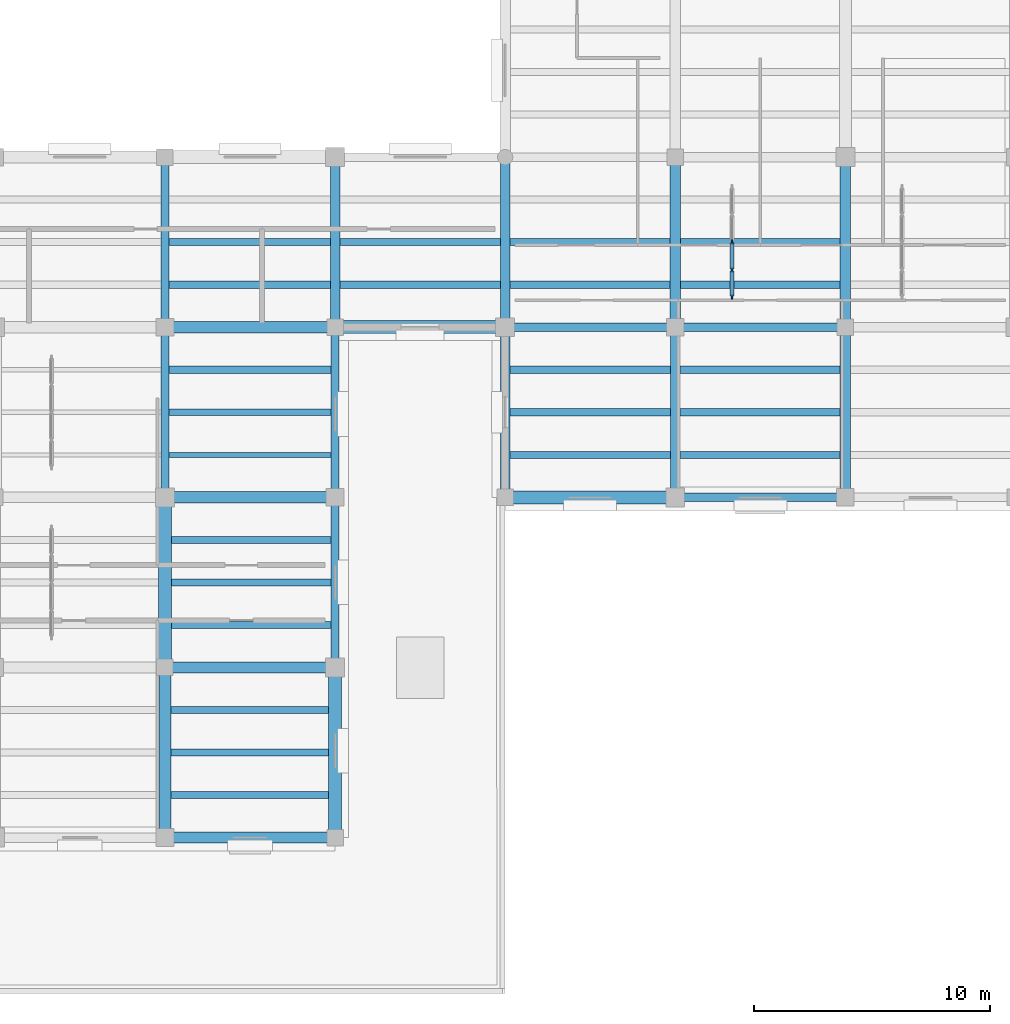
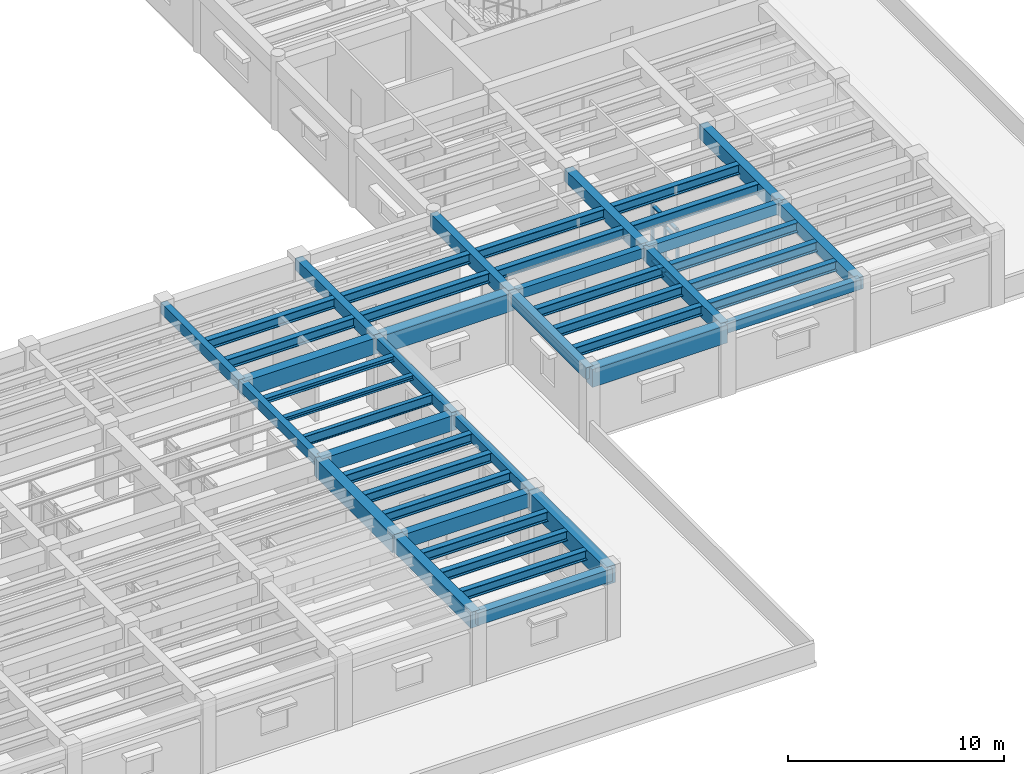
# One storey, part 25 of 76: 46 beams, 11 members, 1 element without a shape of its own.
"""IFC4 building model written with IfcOpenShell, lengths in metres."""

from ifc_helpers import new_model, si_unit, direction, frame, origin, origin_2d, place, context, subcontext, project, spatial, rectangle, i_section, extrude, material, material_profile, profile_set, type_object, element, aggregate, save


model = new_model("IFC4")

# Units and contexts
model_context = context("Model", 3, precision=1e-05, world=origin(), true_north=direction((0.0, 1.0)))
body_context = subcontext(model_context, "Body", "Model", "MODEL_VIEW")
ifc_project = project(units=[si_unit("LENGTHUNIT", "METRE"), si_unit("AREAUNIT", "SQUARE_METRE"), si_unit("VOLUMEUNIT", "CUBIC_METRE"), si_unit("PLANEANGLEUNIT", "RADIAN"), si_unit("MASSUNIT", "GRAM", prefix="KILO")], contexts=[model_context])

# Site, building, storey
site_placement = place(None, origin())
site = spatial("IfcSite", under=ifc_project, at=site_placement, CompositionType="ELEMENT")
building_placement = place(site_placement, origin())
building = spatial("IfcBuilding", under=site, at=building_placement, Name="Mithqara Police Headquarters", CompositionType="ELEMENT")
storey_placement = place(building_placement, frame((0.0, 0.0, 5.39990234375)))
storey = spatial("IfcBuildingStorey", under=building, at=storey_placement, Name="L01", CompositionType="ELEMENT", Elevation=5.39990234375)

# Beams
ifc_material_1 = material(Name="Steel S355JR", Category="steel")
ifc_material_profile_1 = material_profile(ifc_material_1, i_section(OverallWidth=0.300048828125, OverallDepth=0.550048828125, WebThickness=0.014892578125, FlangeThickness=0.029052734375, FilletRadius=0.027099609375, at=origin_2d()), Name="HEB 550")
ifc_profile_set_1 = profile_set([ifc_material_profile_1], Name="Steel S355JR")
beam_type_1 = type_object("IfcBeamType", Name="BEAM HEB550", PredefinedType="BEAM", material=ifc_profile_set_1)
for number, where, z_axis, x_axis, name in (
    (1, (130.449951171875, 8.39990234375, 3.64501953125), (1.0, 0.0, 0.0), (0.0, 1.0, 0.0), "L01 Composite Steel Joist 19-20/B.1"),
    (2, (130.449951171875, 10.199951171875, 3.64501953125), (1.0, 0.0, 0.0), (0.0, 1.0, 0.0), "L01 Composite Steel Joist 19-20/B.2"),
    (3, (130.449951171875, 12.0, 3.64501953125), (1.0, 0.0, 0.0), (0.0, 1.0, 0.0), "L01 Composite Steel Joist 19-20/B.3"),
):
    element("IfcBeam", number, at=place(storey_placement, frame(where, z_axis=z_axis, x_axis=x_axis)), inside=storey, type_object=beam_type_1, Name=name, PredefinedType="BEAM", context=body_context, shape_type="SweptSolid", body=[
        extrude(i_section(OverallWidth=0.300048828125, OverallDepth=0.550048828125, WebThickness=0.014892578125, FlangeThickness=0.029052734375, FilletRadius=0.027099609375, at=origin_2d()), origin(), (0.0, 0.0, 1.0), 6.675048828125),
    ])
for number, where, z_axis, x_axis, name in (
    (4, (130.47509765625, 15.60009765625, 3.64501953125), (1.0, 0.0, 0.0), (0.0, 1.0, 0.0), "L01 Composite Steel Joist 19-20/C.1"),
    (5, (130.47509765625, 17.39990234375, 3.64501953125), (1.0, 0.0, 0.0), (0.0, 1.0, 0.0), "L01 Composite Steel Joist 19-20/C.2"),
    (6, (130.47509765625, 19.199951171875, 3.64501953125), (1.0, 0.0, 0.0), (0.0, 1.0, 0.0), "L01 Composite Steel Joist 19-20/C.3"),
):
    element("IfcBeam", number, at=place(storey_placement, frame(where, z_axis=z_axis, x_axis=x_axis)), inside=storey, type_object=beam_type_1, Name=name, PredefinedType="BEAM", context=body_context, shape_type="SweptSolid", body=[
        extrude(i_section(OverallWidth=0.300048828125, OverallDepth=0.550048828125, WebThickness=0.014892578125, FlangeThickness=0.029052734375, FilletRadius=0.027099609375, at=origin_2d()), origin(), (0.0, 0.0, 1.0), 6.75),
    ])
for number, where, z_axis, x_axis, name in (
    (7, (130.375, 30.0, 3.64501953125), (1.0, 0.0, 0.0), (0.0, 1.0, 0.0), "L01 Composite Steel Joist 19-20/E.1"),
    (8, (130.375, 31.800048828125, 3.64501953125), (1.0, 0.0, 0.0), (0.0, 1.0, 0.0), "L01 Composite Steel Joist 19-20/E.2"),
):
    element("IfcBeam", number, at=place(storey_placement, frame(where, z_axis=z_axis, x_axis=x_axis)), inside=storey, type_object=beam_type_1, Name=name, PredefinedType="BEAM", context=body_context, shape_type="SweptSolid", body=[
        extrude(i_section(OverallWidth=0.300048828125, OverallDepth=0.550048828125, WebThickness=0.014892578125, FlangeThickness=0.029052734375, FilletRadius=0.027099609375, at=origin_2d()), origin(), (0.0, 0.0, 1.0), 6.824951171875),
    ])
for number, where, z_axis, x_axis, name in (
    (9, (137.60009765625, 30.0, 3.64501953125), (1.0, 0.0, 0.0), (0.0, 1.0, 0.0), "L01 Composite Steel Joist 20-21/E.1"),
    (10, (137.60009765625, 31.800048828125, 3.64501953125), (1.0, 0.0, 0.0), (0.0, 1.0, 0.0), "L01 Composite Steel Joist 20-21/E.2"),
):
    element("IfcBeam", number, at=place(storey_placement, frame(where, z_axis=z_axis, x_axis=x_axis)), inside=storey, type_object=beam_type_1, Name=name, PredefinedType="BEAM", context=body_context, shape_type="SweptSolid", body=[
        extrude(i_section(OverallWidth=0.300048828125, OverallDepth=0.550048828125, WebThickness=0.014892578125, FlangeThickness=0.029052734375, FilletRadius=0.027099609375, at=origin_2d()), origin(), (0.0, 0.0, 1.0), 6.7998046875),
    ])
for number, where, z_axis, x_axis, name in (
    (11, (144.800048828125, 22.800048828125, 3.64501953125), (1.0, 0.0, 0.0), (0.0, 1.0, 0.0), "L01 Composite Steel Joist 21-22/D.1"),
    (12, (144.800048828125, 24.60009765625, 3.64501953125), (1.0, 0.0, 0.0), (0.0, 1.0, 0.0), "L01 Composite Steel Joist 21-22/D.2"),
    (13, (144.800048828125, 26.39990234375, 3.64501953125), (1.0, 0.0, 0.0), (0.0, 1.0, 0.0), "L01 Composite Steel Joist 21-22/D.3"),
):
    element("IfcBeam", number, at=place(storey_placement, frame(where, z_axis=z_axis, x_axis=x_axis)), inside=storey, type_object=beam_type_1, Name=name, PredefinedType="BEAM", context=body_context, shape_type="SweptSolid", body=[
        extrude(i_section(OverallWidth=0.300048828125, OverallDepth=0.550048828125, WebThickness=0.014892578125, FlangeThickness=0.029052734375, FilletRadius=0.027099609375, at=origin_2d()), origin(), (0.0, 0.0, 1.0), 6.800048828125),
    ])
for number, where, z_axis, x_axis, name in (
    (14, (144.800048828125, 30.0, 3.64501953125), (1.0, 0.0, 0.0), (0.0, 1.0, 0.0), "L01 Composite Steel Joist 21-22/E.1"),
    (15, (144.800048828125, 31.800048828125, 3.64501953125), (1.0, 0.0, 0.0), (0.0, 1.0, 0.0), "L01 Composite Steel Joist 21-22/E.2"),
    (16, (152.0, 22.800048828125, 3.64501953125), (1.0, 0.0, 0.0), (0.0, 1.0, 0.0), "L01 Composite Steel Joist 22-23/D.1"),
    (17, (152.0, 24.60009765625, 3.64501953125), (1.0, 0.0, 0.0), (0.0, 1.0, 0.0), "L01 Composite Steel Joist 22-23/D.2"),
    (18, (152.0, 26.39990234375, 3.64501953125), (1.0, 0.0, 0.0), (0.0, 1.0, 0.0), "L01 Composite Steel Joist 22-23/D.3"),
):
    element("IfcBeam", number, at=place(storey_placement, frame(where, z_axis=z_axis, x_axis=x_axis)), inside=storey, type_object=beam_type_1, Name=name, PredefinedType="BEAM", context=body_context, shape_type="SweptSolid", body=[
        extrude(i_section(OverallWidth=0.300048828125, OverallDepth=0.550048828125, WebThickness=0.014892578125, FlangeThickness=0.029052734375, FilletRadius=0.027099609375, at=origin_2d()), origin(), (0.0, 0.0, 1.0), 6.77490234375),
    ])
for number, where, z_axis, x_axis, name in (
    (19, (152.02490234375, 30.0, 3.64501953125), (1.0, 0.0, 0.0), (0.0, 1.0, 0.0), "L01 Composite Steel Joist 22-23/E.1"),
    (20, (152.02490234375, 31.800048828125, 3.64501953125), (1.0, 0.0, 0.0), (0.0, 1.0, 0.0), "L01 Composite Steel Joist 22-23/E.2"),
):
    element("IfcBeam", number, at=place(storey_placement, frame(where, z_axis=z_axis, x_axis=x_axis)), inside=storey, type_object=beam_type_1, Name=name, PredefinedType="BEAM", context=body_context, shape_type="SweptSolid", body=[
        extrude(i_section(OverallWidth=0.300048828125, OverallDepth=0.550048828125, WebThickness=0.014892578125, FlangeThickness=0.029052734375, FilletRadius=0.027099609375, at=origin_2d()), origin(), (0.0, 0.0, 1.0), 6.75),
    ])
ifc_material_2 = material(Name="Concrete C40/50", Category="concrete")
ifc_material_profile_2 = material_profile(ifc_material_2, rectangle(XDim=0.35009765625, YDim=0.550048828125, at=origin_2d()), Name="RC 350x550")
ifc_profile_set_2 = profile_set([ifc_material_profile_2], Name="Concrete C40/50")
beam_type_2 = type_object("IfcBeamType", Name="BEAM RC350X550", PredefinedType="BEAM", material=ifc_profile_set_2)
for number, where, z_axis, x_axis, name in (
    (21, (130.199951171875, 21.0, 3.64501953125), (0.0, 1.0, 0.0), (-1.0, 0.0, 0.0), "L01 Girder 19/D-E"),
    (22, (137.39990234375, 13.800048828125, 3.64501953125), (0.0, 1.0, 0.0), (-1.0, 0.0, 0.0), "L01 Girder 20/C-D"),
    (23, (144.60009765625, 28.199951171875, 3.64501953125), (1.0, 0.0, 0.0), (0.0, 1.0, 0.0), "L01 Girder 21-22/E"),
    (24, (151.800048828125, 21.0, 3.64501953125), (1.0, 0.0, 0.0), (0.0, 1.0, 0.0), "L01 Girder 22-23/D"),
):
    element("IfcBeam", number, at=place(storey_placement, frame(where, z_axis=z_axis, x_axis=x_axis)), inside=storey, type_object=beam_type_2, Name=name, PredefinedType="BEAM", context=body_context, shape_type="SweptSolid", body=[
        extrude(rectangle(XDim=0.35009765625, YDim=0.550048828125, at=origin_2d()), origin(), (0.0, 0.0, 1.0), 7.199951171875),
    ])
ifc_material_profile_3 = material_profile(ifc_material_2, rectangle(XDim=0.35009765625, YDim=0.60009765625, at=origin_2d()), Name="RC 350x600")
ifc_profile_set_3 = profile_set([ifc_material_profile_3], Name="Concrete C40/50")
beam_type_3 = type_object("IfcBeamType", Name="BEAM RC350X600", PredefinedType="BEAM", material=ifc_profile_set_3)
for number, where, z_axis, x_axis, name in (
    (25, (130.199951171875, 28.199951171875, 3.6201171875), (0.0, 1.0, 0.0), (-1.0, 0.0, 0.0), "L01 Girder 19/E-F"),
    (26, (137.39990234375, 21.0, 3.6201171875), (0.0, 1.0, 0.0), (-1.0, 0.0, 0.0), "L01 Girder 20/D-E"),
    (27, (151.800048828125, 28.199951171875, 3.6201171875), (1.0, 0.0, 0.0), (0.0, 1.0, 0.0), "L01 Girder 22-23/E"),
):
    element("IfcBeam", number, at=place(storey_placement, frame(where, z_axis=z_axis, x_axis=x_axis)), inside=storey, type_object=beam_type_3, Name=name, PredefinedType="BEAM", context=body_context, shape_type="SweptSolid", body=[
        extrude(rectangle(XDim=0.35009765625, YDim=0.60009765625, at=origin_2d()), origin(), (0.0, 0.0, 1.0), 7.199951171875),
    ])
ifc_material_profile_4 = material_profile(ifc_material_2, rectangle(XDim=0.39990234375, YDim=0.64990234375, at=origin_2d()), Name="RC 400x650")
ifc_profile_set_4 = profile_set([ifc_material_profile_4], Name="Concrete C40/50")
beam_type_4 = type_object("IfcBeamType", Name="BEAM RC400X650", PredefinedType="BEAM", material=ifc_profile_set_4)
for number, where, z_axis, x_axis, name in (
    (28, (137.39990234375, 28.199951171875, 3.59521484375), (0.0, 1.0, 0.0), (-1.0, 0.0, 0.0), "L01 Girder 20/E-F"),
    (29, (144.60009765625, 21.0, 3.59521484375), (0.0, 1.0, 0.0), (-1.0, 0.0, 0.0), "L01 Girder 21/D-E"),
):
    element("IfcBeam", number, at=place(storey_placement, frame(where, z_axis=z_axis, x_axis=x_axis)), inside=storey, type_object=beam_type_4, Name=name, PredefinedType="BEAM", context=body_context, shape_type="SweptSolid", body=[
        extrude(rectangle(XDim=0.39990234375, YDim=0.64990234375, at=origin_2d()), origin(), (0.0, 0.0, 1.0), 7.199951171875),
    ])
ifc_material_profile_5 = material_profile(ifc_material_2, rectangle(XDim=0.39990234375, YDim=0.75, at=origin_2d()), Name="RC 400x750")
ifc_profile_set_5 = profile_set([ifc_material_profile_5], Name="Concrete C40/50")
beam_type_5 = type_object("IfcBeamType", Name="BEAM RC400X750", PredefinedType="BEAM", material=ifc_profile_set_5)
for number, where, z_axis, x_axis, name in (
    (30, (144.60009765625, 28.199951171875, 3.545166015625), (0.0, 1.0, 0.0), (-1.0, 0.0, 0.0), "L01 Girder 21/E-F"),
    (31, (151.800048828125, 21.0, 3.545166015625), (0.0, 1.0, 0.0), (-1.0, 0.0, 0.0), "L01 Girder 22/D-E"),
):
    element("IfcBeam", number, at=place(storey_placement, frame(where, z_axis=z_axis, x_axis=x_axis)), inside=storey, type_object=beam_type_5, Name=name, PredefinedType="BEAM", context=body_context, shape_type="SweptSolid", body=[
        extrude(rectangle(XDim=0.39990234375, YDim=0.75, at=origin_2d()), origin(), (0.0, 0.0, 1.0), 7.199951171875),
    ])
ifc_material_profile_6 = material_profile(ifc_material_2, rectangle(XDim=0.449951171875, YDim=0.699951171875, at=origin_2d()), Name="RC 450x700")
ifc_profile_set_6 = profile_set([ifc_material_profile_6], Name="Concrete C40/50")
beam_type_6 = type_object("IfcBeamType", Name="BEAM RC450X700", PredefinedType="BEAM", material=ifc_profile_set_6)
for number, where, z_axis, x_axis, name in (
    (32, (130.199951171875, 6.60009765625, 3.570068359375), (1.0, 0.0, 0.0), (0.0, 1.0, 0.0), "L01 Girder 19-20/B"),
    (33, (151.800048828125, 28.199951171875, 3.570068359375), (0.0, 1.0, 0.0), (-1.0, 0.0, 0.0), "L01 Girder 22/E-F"),
    (34, (159.0, 21.0, 3.570068359375), (0.0, 1.0, 0.0), (-1.0, 0.0, 0.0), "L01 Girder 23/D-E"),
):
    element("IfcBeam", number, at=place(storey_placement, frame(where, z_axis=z_axis, x_axis=x_axis)), inside=storey, type_object=beam_type_6, Name=name, PredefinedType="BEAM", context=body_context, shape_type="SweptSolid", body=[
        extrude(rectangle(XDim=0.449951171875, YDim=0.699951171875, at=origin_2d()), origin(), (0.0, 0.0, 1.0), 7.199951171875),
    ])
ifc_material_profile_7 = material_profile(ifc_material_2, rectangle(XDim=0.449951171875, YDim=0.800048828125, at=origin_2d()), Name="RC 450x800")
ifc_profile_set_7 = profile_set([ifc_material_profile_7], Name="Concrete C40/50")
beam_type_7 = type_object("IfcBeamType", Name="BEAM RC450X800", PredefinedType="BEAM", material=ifc_profile_set_7)
for number, where, z_axis, x_axis, name in (
    (35, (130.199951171875, 13.800048828125, 3.52001953125), (1.0, 0.0, 0.0), (0.0, 1.0, 0.0), "L01 Girder 19-20/C"),
    (36, (159.0, 28.199951171875, 3.52001953125), (0.0, 1.0, 0.0), (-1.0, 0.0, 0.0), "L01 Girder 23/E-F"),
):
    element("IfcBeam", number, at=place(storey_placement, frame(where, z_axis=z_axis, x_axis=x_axis)), inside=storey, type_object=beam_type_7, Name=name, PredefinedType="BEAM", context=body_context, shape_type="SweptSolid", body=[
        extrude(rectangle(XDim=0.449951171875, YDim=0.800048828125, at=origin_2d()), origin(), (0.0, 0.0, 1.0), 7.199951171875),
    ])
ifc_material_profile_8 = material_profile(ifc_material_2, rectangle(XDim=0.5, YDim=0.85009765625, at=origin_2d()), Name="RC 500x850")
ifc_profile_set_8 = profile_set([ifc_material_profile_8], Name="Concrete C40/50")
beam_type_8 = type_object("IfcBeamType", Name="BEAM RC500X850", PredefinedType="BEAM", material=ifc_profile_set_8)
beam_1_placement = place(storey_placement, frame((130.199951171875, 21.0, 3.4951171875), z_axis=(1.0, 0.0, 0.0), x_axis=(0.0, 1.0, 0.0)))
element("IfcBeam", 37, at=beam_1_placement, inside=storey, type_object=beam_type_8, Name="L01 Girder 19-20/D", PredefinedType="BEAM", context=body_context, shape_type="SweptSolid", body=[
    extrude(rectangle(XDim=0.5, YDim=0.85009765625, at=origin_2d()), origin(), (0.0, 0.0, 1.0), 7.199951171875),
])
ifc_material_3 = material(Name="Concrete C50/60", Category="concrete")
ifc_material_profile_9 = material_profile(ifc_material_3, rectangle(XDim=0.5, YDim=0.89990234375, at=origin_2d()), Name="RC 500x900")
ifc_profile_set_9 = profile_set([ifc_material_profile_9], Name="Concrete C50/60")
beam_type_9 = type_object("IfcBeamType", Name="BEAM RC500X900", PredefinedType="BEAM", material=ifc_profile_set_9)
for number, where, z_axis, x_axis, name in (
    (38, (130.199951171875, 6.60009765625, 3.47021484375), (0.0, 1.0, 0.0), (-1.0, 0.0, 0.0), "L01 Girder 19/B-C"),
    (39, (130.199951171875, 28.199951171875, 3.47021484375), (1.0, 0.0, 0.0), (0.0, 1.0, 0.0), "L01 Girder 19-20/E"),
):
    element("IfcBeam", number, at=place(storey_placement, frame(where, z_axis=z_axis, x_axis=x_axis)), inside=storey, type_object=beam_type_9, Name=name, PredefinedType="BEAM", context=body_context, shape_type="SweptSolid", body=[
        extrude(rectangle(XDim=0.5, YDim=0.89990234375, at=origin_2d()), origin(), (0.0, 0.0, 1.0), 7.199951171875),
    ])
ifc_material_profile_10 = material_profile(ifc_material_3, rectangle(XDim=0.550048828125, YDim=1.0, at=origin_2d()), Name="RC 550x1000")
ifc_profile_set_10 = profile_set([ifc_material_profile_10], Name="Concrete C50/60")
beam_type_10 = type_object("IfcBeamType", Name="BEAM RC550X1000", PredefinedType="BEAM", material=ifc_profile_set_10)
for number, where, z_axis, x_axis, name in (
    (40, (130.199951171875, 13.800048828125, 3.420166015625), (0.0, 1.0, 0.0), (-1.0, 0.0, 0.0), "L01 Girder 19/C-D"),
    (41, (137.39990234375, 6.60009765625, 3.420166015625), (0.0, 1.0, 0.0), (-1.0, 0.0, 0.0), "L01 Girder 20/B-C"),
):
    element("IfcBeam", number, at=place(storey_placement, frame(where, z_axis=z_axis, x_axis=x_axis)), inside=storey, type_object=beam_type_10, Name=name, PredefinedType="BEAM", context=body_context, shape_type="SweptSolid", body=[
        extrude(rectangle(XDim=0.550048828125, YDim=1.0, at=origin_2d()), origin(), (0.0, 0.0, 1.0), 7.199951171875),
    ])
beam_2_placement = place(storey_placement, frame((137.39990234375, 28.199951171875, 3.420166015625), z_axis=(1.0, 0.0, 0.0), x_axis=(0.0, 1.0, 0.0)))
element("IfcBeam", 42, at=beam_2_placement, inside=storey, type_object=beam_type_10, Name="L01 Girder 20-21/E", PredefinedType="BEAM", context=body_context, shape_type="SweptSolid", body=[
    extrude(rectangle(XDim=0.550048828125, YDim=1.0, at=origin_2d()), origin(), (0.0, 0.0, 1.0), 7.2001953125),
])
beam_3_placement = place(storey_placement, frame((144.60009765625, 21.0, 3.420166015625), z_axis=(1.0, 0.0, 0.0), x_axis=(0.0, 1.0, 0.0)))
element("IfcBeam", 43, at=beam_3_placement, inside=storey, type_object=beam_type_10, Name="L01 Girder 21-22/D", PredefinedType="BEAM", context=body_context, shape_type="SweptSolid", body=[
    extrude(rectangle(XDim=0.550048828125, YDim=1.0, at=origin_2d()), origin(), (0.0, 0.0, 1.0), 7.199951171875),
])

# Curtain wall, members
ifc_material_4 = material(Name="Bronze anodised aluminium 6063-T6", Category="aluminium")
curtain_wall_type = type_object("IfcCurtainWallType", Name="CURTAIN WALL 4700X3200", PredefinedType="USERDEFINED", material=ifc_material_4)
curtain_wall_placement = place(storey_placement, origin())
curtain_wall = element("IfcCurtainWall", 44, at=curtain_wall_placement, inside=storey, type_object=curtain_wall_type, Name="L01 Unitised Glazing CW-15 (CW-INT-L01-X21-Y04-0)", ObjectType="UNITISED GLAZING", PredefinedType="USERDEFINED")
ifc_material_profile_11 = material_profile(ifc_material_4, rectangle(XDim=0.074951171875, YDim=0.219970703125, at=origin_2d()), Name="CWM 75x220")
ifc_profile_set_11 = profile_set([ifc_material_profile_11], Name="Bronze anodised aluminium 6063-T6")
member_type_1 = type_object("IfcMemberType", Name="CWMULLION 75X220", PredefinedType="MULLION", material=ifc_profile_set_11)
member_1_placement = place(storey_placement, frame((154.199951171875, 29.487548828125, 0.0), z_axis=(0.0, 0.0, 1.0), x_axis=(-1.0, 0.0, 0.0)))
member_1 = element("IfcMember", 45, at=member_1_placement, type_object=member_type_1, Name="CW-15 mullion 1", PredefinedType="MULLION", context=body_context, shape_type="SweptSolid", body=[
    extrude(rectangle(XDim=0.074951171875, YDim=0.219970703125, at=origin_2d()), origin(), (0.0, 0.0, 1.0), 3.2001953125),
])
member_2_placement = place(storey_placement, frame((154.199951171875, 30.625, 0.0), z_axis=(0.0, 0.0, 1.0), x_axis=(-1.0, 0.0, 0.0)))
member_2 = element("IfcMember", 46, at=member_2_placement, type_object=member_type_1, Name="CW-15 mullion 2", PredefinedType="MULLION", context=body_context, shape_type="SweptSolid", body=[
    extrude(rectangle(XDim=0.074951171875, YDim=0.219970703125, at=origin_2d()), origin(), (0.0, 0.0, 1.0), 3.2001953125),
])
member_3_placement = place(storey_placement, frame((154.199951171875, 31.800048828125, 0.0), z_axis=(0.0, 0.0, 1.0), x_axis=(-1.0, 0.0, 0.0)))
member_3 = element("IfcMember", 47, at=member_3_placement, type_object=member_type_1, Name="CW-15 mullion 3", PredefinedType="MULLION", context=body_context, shape_type="SweptSolid", body=[
    extrude(rectangle(XDim=0.074951171875, YDim=0.219970703125, at=origin_2d()), origin(), (0.0, 0.0, 1.0), 3.2001953125),
])
ifc_material_profile_12 = material_profile(ifc_material_4, rectangle(XDim=0.179931640625, YDim=0.074951171875, at=origin_2d()), Name="CWT 180x75")
ifc_profile_set_12 = profile_set([ifc_material_profile_12], Name="Bronze anodised aluminium 6063-T6")
member_type_2 = type_object("IfcMemberType", Name="CWTRANSOM 180X75", PredefinedType="USERDEFINED", material=ifc_profile_set_12)
member_4_placement = place(storey_placement, frame((154.199951171875, 29.52490234375, 0.03759765625), z_axis=(0.0, 1.0, 0.0), x_axis=(-1.0, 0.0, 0.0)))
member_4 = element("IfcMember", 48, at=member_4_placement, type_object=member_type_2, Name="CW-15 transom 1.1", ObjectType="TRANSOM", PredefinedType="USERDEFINED", context=body_context, shape_type="SweptSolid", body=[
    extrude(rectangle(XDim=0.179931640625, YDim=0.074951171875, at=origin_2d()), origin(), (0.0, 0.0, 1.0), 1.0625),
])
member_5_placement = place(storey_placement, frame((154.199951171875, 29.52490234375, 0.900146484375), z_axis=(0.0, 1.0, 0.0), x_axis=(-1.0, 0.0, 0.0)))
member_5 = element("IfcMember", 49, at=member_5_placement, type_object=member_type_2, Name="CW-15 transom 1.2", ObjectType="TRANSOM", PredefinedType="USERDEFINED", context=body_context, shape_type="SweptSolid", body=[
    extrude(rectangle(XDim=0.179931640625, YDim=0.074951171875, at=origin_2d()), origin(), (0.0, 0.0, 1.0), 1.0625),
])
member_6_placement = place(storey_placement, frame((154.199951171875, 29.52490234375, 2.650146484375), z_axis=(0.0, 1.0, 0.0), x_axis=(-1.0, 0.0, 0.0)))
member_6 = element("IfcMember", 50, at=member_6_placement, type_object=member_type_2, Name="CW-15 transom 1.3", ObjectType="TRANSOM", PredefinedType="USERDEFINED", context=body_context, shape_type="SweptSolid", body=[
    extrude(rectangle(XDim=0.179931640625, YDim=0.074951171875, at=origin_2d()), origin(), (0.0, 0.0, 1.0), 1.0625),
])
member_7_placement = place(storey_placement, frame((154.199951171875, 29.52490234375, 3.16259765625), z_axis=(0.0, 1.0, 0.0), x_axis=(-1.0, 0.0, 0.0)))
member_7 = element("IfcMember", 51, at=member_7_placement, type_object=member_type_2, Name="CW-15 transom 1.4", ObjectType="TRANSOM", PredefinedType="USERDEFINED", context=body_context, shape_type="SweptSolid", body=[
    extrude(rectangle(XDim=0.179931640625, YDim=0.074951171875, at=origin_2d()), origin(), (0.0, 0.0, 1.0), 1.0625),
])
member_8_placement = place(storey_placement, frame((154.199951171875, 30.66259765625, 0.03759765625), z_axis=(0.0, 1.0, 0.0), x_axis=(-1.0, 0.0, 0.0)))
member_8 = element("IfcMember", 52, at=member_8_placement, type_object=member_type_2, Name="CW-15 transom 2.1", ObjectType="TRANSOM", PredefinedType="USERDEFINED", context=body_context, shape_type="SweptSolid", body=[
    extrude(rectangle(XDim=0.179931640625, YDim=0.074951171875, at=origin_2d()), origin(), (0.0, 0.0, 1.0), 1.099853515625),
])
member_9_placement = place(storey_placement, frame((154.199951171875, 30.66259765625, 0.900146484375), z_axis=(0.0, 1.0, 0.0), x_axis=(-1.0, 0.0, 0.0)))
member_9 = element("IfcMember", 53, at=member_9_placement, type_object=member_type_2, Name="CW-15 transom 2.2", ObjectType="TRANSOM", PredefinedType="USERDEFINED", context=body_context, shape_type="SweptSolid", body=[
    extrude(rectangle(XDim=0.179931640625, YDim=0.074951171875, at=origin_2d()), origin(), (0.0, 0.0, 1.0), 1.099853515625),
])
member_10_placement = place(storey_placement, frame((154.199951171875, 30.66259765625, 2.650146484375), z_axis=(0.0, 1.0, 0.0), x_axis=(-1.0, 0.0, 0.0)))
member_10 = element("IfcMember", 54, at=member_10_placement, type_object=member_type_2, Name="CW-15 transom 2.3", ObjectType="TRANSOM", PredefinedType="USERDEFINED", context=body_context, shape_type="SweptSolid", body=[
    extrude(rectangle(XDim=0.179931640625, YDim=0.074951171875, at=origin_2d()), origin(), (0.0, 0.0, 1.0), 1.099853515625),
])
member_11_placement = place(storey_placement, frame((154.199951171875, 30.66259765625, 3.16259765625), z_axis=(0.0, 1.0, 0.0), x_axis=(-1.0, 0.0, 0.0)))
member_11 = element("IfcMember", 55, at=member_11_placement, type_object=member_type_2, Name="CW-15 transom 2.4", ObjectType="TRANSOM", PredefinedType="USERDEFINED", context=body_context, shape_type="SweptSolid", body=[
    extrude(rectangle(XDim=0.179931640625, YDim=0.074951171875, at=origin_2d()), origin(), (0.0, 0.0, 1.0), 1.099853515625),
])
aggregate(curtain_wall, [member_1, member_2, member_3, member_4, member_5, member_6, member_7, member_8, member_9, member_10, member_11])

# Beams
ifc_material_profile_13 = material_profile(ifc_material_1, i_section(OverallWidth=0.260009765625, OverallDepth=0.25, WebThickness=0.007568359375, FlangeThickness=0.012451171875, FilletRadius=0.02392578125, at=origin_2d()), Name="HEA 260")
ifc_profile_set_13 = profile_set([ifc_material_profile_13], Name="Steel S355JR")
beam_type_11 = type_object("IfcBeamType", Name="JOIST HEA260", PredefinedType="JOIST", material=ifc_profile_set_13)
beam_4_placement = place(storey_placement, frame((130.375, 24.60009765625, 3.795166015625), z_axis=(1.0, 0.0, 0.0), x_axis=(0.0, 1.0, 0.0)))
element("IfcBeam", 56, at=beam_4_placement, inside=storey, type_object=beam_type_11, Name="L01 Composite Steel Joist 19-20/D.2", PredefinedType="JOIST", context=body_context, shape_type="SweptSolid", body=[
    extrude(i_section(OverallWidth=0.260009765625, OverallDepth=0.25, WebThickness=0.007568359375, FlangeThickness=0.012451171875, FilletRadius=0.02392578125, at=origin_2d()), origin(), (0.0, 0.0, 1.0), 6.85009765625),
])
ifc_material_profile_14 = material_profile(ifc_material_1, i_section(OverallWidth=0.300048828125, OverallDepth=0.2900390625, WebThickness=0.008544921875, FlangeThickness=0.013916015625, FilletRadius=0.027099609375, at=origin_2d()), Name="HEA 300")
ifc_profile_set_14 = profile_set([ifc_material_profile_14], Name="Steel S355JR")
beam_type_12 = type_object("IfcBeamType", Name="JOIST HEA300", PredefinedType="JOIST", material=ifc_profile_set_14)
beam_5_placement = place(storey_placement, frame((130.375, 26.39990234375, 3.775146484375), z_axis=(1.0, 0.0, 0.0), x_axis=(0.0, 1.0, 0.0)))
element("IfcBeam", 57, at=beam_5_placement, inside=storey, type_object=beam_type_12, Name="L01 Composite Steel Joist 19-20/D.3", PredefinedType="JOIST", context=body_context, shape_type="SweptSolid", body=[
    extrude(i_section(OverallWidth=0.300048828125, OverallDepth=0.2900390625, WebThickness=0.008544921875, FlangeThickness=0.013916015625, FilletRadius=0.027099609375, at=origin_2d()), origin(), (0.0, 0.0, 1.0), 6.85009765625),
])
ifc_material_profile_15 = material_profile(ifc_material_1, i_section(OverallWidth=0.2099609375, OverallDepth=0.550048828125, WebThickness=0.010986328125, FlangeThickness=0.01708984375, FilletRadius=0.02392578125, at=origin_2d()), Name="IPE 550")
ifc_profile_set_15 = profile_set([ifc_material_profile_15], Name="Steel S355JR")
beam_type_13 = type_object("IfcBeamType", Name="JOIST IPE550", PredefinedType="JOIST", material=ifc_profile_set_15)
beam_6_placement = place(storey_placement, frame((130.375, 22.800048828125, 3.64501953125), z_axis=(1.0, 0.0, 0.0), x_axis=(0.0, 1.0, 0.0)))
element("IfcBeam", 58, at=beam_6_placement, inside=storey, type_object=beam_type_13, Name="L01 Composite Steel Joist 19-20/D.1", PredefinedType="JOIST", context=body_context, shape_type="SweptSolid", body=[
    extrude(i_section(OverallWidth=0.2099609375, OverallDepth=0.550048828125, WebThickness=0.010986328125, FlangeThickness=0.01708984375, FilletRadius=0.02392578125, at=origin_2d()), origin(), (0.0, 0.0, 1.0), 6.85009765625),
])

save(model, "model.ifc")
